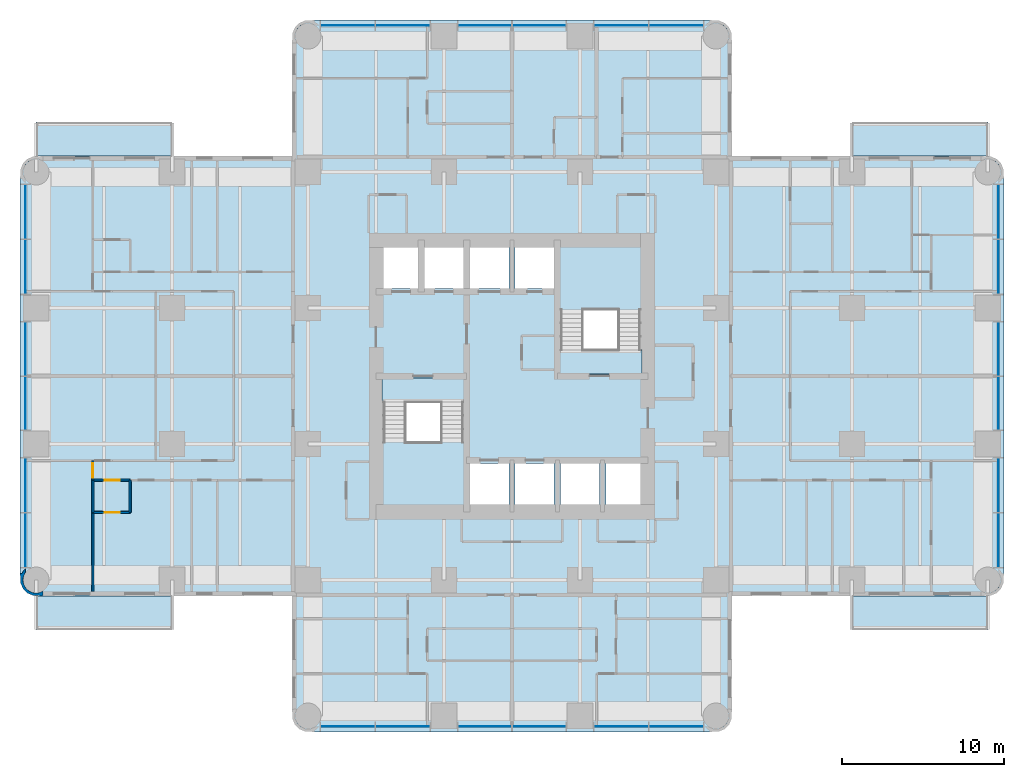
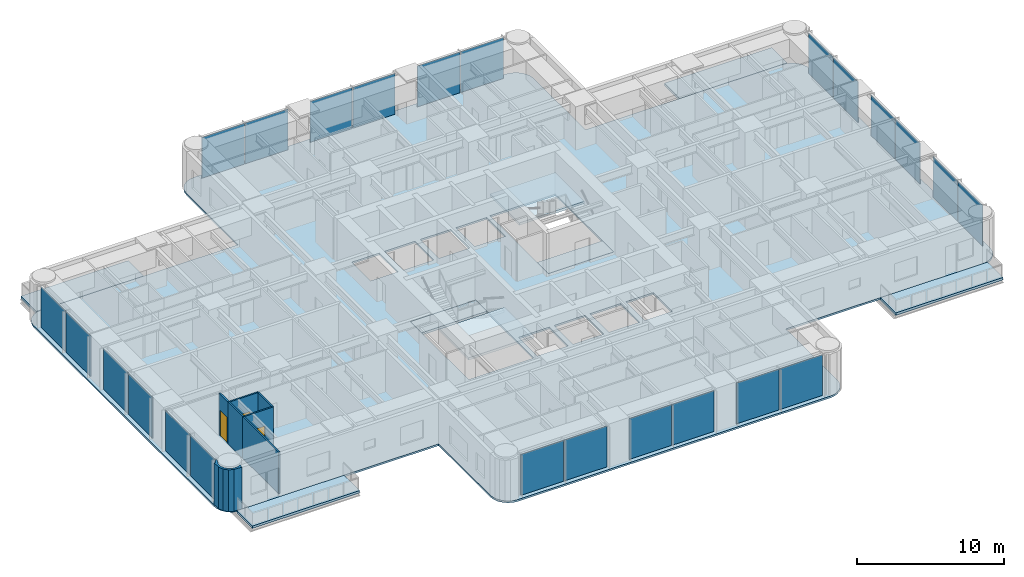
# One storey, part 5 of 15: 24 plates, 9 slabs, 7 walls, 3 doors, 3 openings, 6 elements without a shape of their own.
"""IFC4 building model written with IfcOpenShell, lengths in metres."""

from ifc_helpers import new_model, si_unit, direction, frame, frame_2d, origin, origin_2d, place, context, subcontext, project, spatial, polyline, rectangle, outline, extrude, material, layer, layer_set, type_object, element, fill, aggregate, save


model = new_model("IFC4")

# Units and contexts
model_context = context("Model", 3, precision=1e-05, world=origin(), true_north=direction((0.0, 1.0)))
body_context = subcontext(model_context, "Body", "Model", "MODEL_VIEW")
ifc_project = project(units=[si_unit("LENGTHUNIT", "METRE"), si_unit("AREAUNIT", "SQUARE_METRE"), si_unit("VOLUMEUNIT", "CUBIC_METRE"), si_unit("PLANEANGLEUNIT", "RADIAN"), si_unit("MASSUNIT", "GRAM", prefix="KILO")], contexts=[model_context])

# Site, building, storey
site_placement = place(None, origin())
site = spatial("IfcSite", under=ifc_project, at=site_placement, CompositionType="ELEMENT")
building_placement = place(site_placement, origin())
building = spatial("IfcBuilding", under=site, at=building_placement, Name="Torre Alcanfor", CompositionType="ELEMENT")
storey_placement = place(building_placement, frame((0.0, 0.0, 152.10009765625)))
storey = spatial("IfcBuildingStorey", under=building, at=storey_placement, Name="L39", CompositionType="ELEMENT", Elevation=152.10009765625)

# Slabs
ifc_material_1 = material(Name="Concrete f'c 35 MPa", Category="concrete")
ifc_layer_1 = layer(ifc_material_1, 0.199951171875)
ifc_layer_set_1 = layer_set([ifc_layer_1], Name="Balcony slab 200")
slab_type_1 = type_object("IfcSlabType", Name="Balcony slab 200", PredefinedType="FLOOR", material=ifc_layer_set_1)
slab_1_placement = place(storey_placement, frame((0.0, 0.0, -0.2001953125)))
element("IfcSlab", 1, at=slab_1_placement, inside=storey, type_object=slab_type_1, Name="Balcony L39-E1", PredefinedType="FLOOR", context=body_context, shape_type="SweptSolid", body=[
    extrude(outline(polyline([(50.39990234375, 43.0), (58.800048828125, 43.0), (58.800048828125, 45.10009765625), (50.39990234375, 45.10009765625), (50.39990234375, 43.0)])), origin(), (0.0, 0.0, 1.0), 0.2001953125),
])
slab_2_placement = place(storey_placement, frame((0.0, 0.0, -0.2001953125)))
element("IfcSlab", 2, at=slab_2_placement, inside=storey, type_object=slab_type_1, Name="Balcony L39-E2", PredefinedType="FLOOR", context=body_context, shape_type="SweptSolid", body=[
    extrude(outline(polyline([(50.39990234375, 13.699951171875), (58.800048828125, 13.699951171875), (58.800048828125, 15.800048828125), (50.39990234375, 15.800048828125), (50.39990234375, 13.699951171875)])), origin(), (0.0, 0.0, 1.0), 0.2001953125),
])
slab_3_placement = place(storey_placement, frame((0.0, 0.0, -0.2001953125)))
element("IfcSlab", 3, at=slab_3_placement, inside=storey, type_object=slab_type_1, Name="Balcony L39-W1", PredefinedType="FLOOR", context=body_context, shape_type="SweptSolid", body=[
    extrude(outline(polyline([(8.39990234375, 15.800048828125), (0.0, 15.800048828125), (0.0, 13.699951171875), (8.39990234375, 13.699951171875), (8.39990234375, 15.800048828125)])), origin(), (0.0, 0.0, 1.0), 0.2001953125),
])
slab_4_placement = place(storey_placement, frame((0.0, 0.0, -0.2001953125)))
element("IfcSlab", 4, at=slab_4_placement, inside=storey, type_object=slab_type_1, Name="Balcony L39-W2", PredefinedType="FLOOR", context=body_context, shape_type="SweptSolid", body=[
    extrude(outline(polyline([(8.39990234375, 45.10009765625), (0.0, 45.10009765625), (0.0, 43.0), (8.39990234375, 43.0), (8.39990234375, 45.10009765625)])), origin(), (0.0, 0.0, 1.0), 0.2001953125),
])

# Curtain wall, plates
ifc_material_2 = material(Name="Aluminium and glass", Category="aluminium")
curtain_wall_type = type_object("IfcCurtainWallType", Name="CW-A unitised apartment glazing with vertical FIN", PredefinedType="NOTDEFINED", material=ifc_material_2)
curtain_wall_1_placement = place(storey_placement, origin())
curtain_wall_1 = element("IfcCurtainWall", 5, at=curtain_wall_1_placement, inside=storey, type_object=curtain_wall_type, Name="Curtain wall CW-A L39 2", PredefinedType="NOTDEFINED")
ifc_material_3 = material(Name="Glass", Category="glass")
ifc_layer_2 = layer(ifc_material_3, 0.028076171875)
ifc_layer_set_2 = layer_set([ifc_layer_2], Name="CW-A clear double glazed unit")
plate_type = type_object("IfcPlateType", Name="CW-A clear double glazed unit", PredefinedType="CURTAIN_PANEL", material=ifc_layer_set_2)
plate_1_placement = place(storey_placement, frame((-0.64990234375, 39.541259765625, 0.0), z_axis=(0.0, 0.0, 1.0), x_axis=(0.0, -1.0, 0.0)))
plate_1 = element("IfcPlate", 6, at=plate_1_placement, type_object=plate_type, Name="CW-A panel 1.1.1", PredefinedType="CURTAIN_PANEL", context=body_context, shape_type="SweptSolid", body=[
    extrude(rectangle(XDim=3.337646484375, YDim=0.028076171875, at=origin_2d()), origin(), (0.0, 0.0, 1.0), 3.385009765625),
])
plate_2_placement = place(storey_placement, frame((-0.64990234375, 36.138671875, 0.0), z_axis=(0.0, 0.0, 1.0), x_axis=(0.0, -1.0, 0.0)))
plate_2 = element("IfcPlate", 7, at=plate_2_placement, type_object=plate_type, Name="CW-A panel 1.2.1", PredefinedType="CURTAIN_PANEL", context=body_context, shape_type="SweptSolid", body=[
    extrude(rectangle(XDim=3.337646484375, YDim=0.028076171875, at=origin_2d()), origin(), (0.0, 0.0, 1.0), 3.385009765625),
])
plate_3_placement = place(storey_placement, frame((-0.64990234375, 31.081298828125, 0.0), z_axis=(0.0, 0.0, 1.0), x_axis=(0.0, -1.0, 0.0)))
plate_3 = element("IfcPlate", 8, at=plate_3_placement, type_object=plate_type, Name="CW-A panel 2.1.1", PredefinedType="CURTAIN_PANEL", context=body_context, shape_type="SweptSolid", body=[
    extrude(rectangle(XDim=3.297607421875, YDim=0.028076171875, at=origin_2d()), origin(), (0.0, 0.0, 1.0), 3.385009765625),
])
plate_4_placement = place(storey_placement, frame((-0.64990234375, 27.71875, 0.0), z_axis=(0.0, 0.0, 1.0), x_axis=(0.0, -1.0, 0.0)))
plate_4 = element("IfcPlate", 9, at=plate_4_placement, type_object=plate_type, Name="CW-A panel 2.2.1", PredefinedType="CURTAIN_PANEL", context=body_context, shape_type="SweptSolid", body=[
    extrude(rectangle(XDim=3.297607421875, YDim=0.028076171875, at=origin_2d()), origin(), (0.0, 0.0, 1.0), 3.385009765625),
])
plate_5_placement = place(storey_placement, frame((-0.64990234375, 22.6611328125, 0.0), z_axis=(0.0, 0.0, 1.0), x_axis=(0.0, -1.0, 0.0)))
plate_5 = element("IfcPlate", 10, at=plate_5_placement, type_object=plate_type, Name="CW-A panel 3.1.1", PredefinedType="CURTAIN_PANEL", context=body_context, shape_type="SweptSolid", body=[
    extrude(rectangle(XDim=3.337646484375, YDim=0.028076171875, at=origin_2d()), origin(), (0.0, 0.0, 1.0), 3.385009765625),
])
plate_6_placement = place(storey_placement, frame((-0.64990234375, 19.2587890625, 0.0), z_axis=(0.0, 0.0, 1.0), x_axis=(0.0, -1.0, 0.0)))
plate_6 = element("IfcPlate", 11, at=plate_6_placement, type_object=plate_type, Name="CW-A panel 3.2.1", PredefinedType="CURTAIN_PANEL", context=body_context, shape_type="SweptSolid", body=[
    extrude(rectangle(XDim=3.337646484375, YDim=0.028076171875, at=origin_2d()), origin(), (0.0, 0.0, 1.0), 3.385009765625),
])
aggregate(curtain_wall_1, [plate_1, plate_2, plate_3, plate_4, plate_5, plate_6])

curtain_wall_2_placement = place(storey_placement, origin())
curtain_wall_2 = element("IfcCurtainWall", 12, at=curtain_wall_2_placement, inside=storey, type_object=curtain_wall_type, Name="Curtain wall CW-A L39 5", PredefinedType="NOTDEFINED")
plate_7_placement = place(storey_placement, frame((19.2587890625, 7.75, 0.0), z_axis=(0.0, 0.0, 1.0), x_axis=(1.0, 0.0, 0.0)))
plate_7 = element("IfcPlate", 13, at=plate_7_placement, type_object=plate_type, Name="CW-A panel 1.1.1", PredefinedType="CURTAIN_PANEL", context=body_context, shape_type="SweptSolid", body=[
    extrude(rectangle(XDim=3.337646484375, YDim=0.028076171875, at=origin_2d()), origin(), (0.0, 0.0, 1.0), 3.385009765625),
])
plate_8_placement = place(storey_placement, frame((22.6611328125, 7.75, 0.0), z_axis=(0.0, 0.0, 1.0), x_axis=(1.0, 0.0, 0.0)))
plate_8 = element("IfcPlate", 14, at=plate_8_placement, type_object=plate_type, Name="CW-A panel 1.2.1", PredefinedType="CURTAIN_PANEL", context=body_context, shape_type="SweptSolid", body=[
    extrude(rectangle(XDim=3.337646484375, YDim=0.028076171875, at=origin_2d()), origin(), (0.0, 0.0, 1.0), 3.385009765625),
])
plate_9_placement = place(storey_placement, frame((27.71875, 7.75, 0.0), z_axis=(0.0, 0.0, 1.0), x_axis=(1.0, 0.0, 0.0)))
plate_9 = element("IfcPlate", 15, at=plate_9_placement, type_object=plate_type, Name="CW-A panel 2.1.1", PredefinedType="CURTAIN_PANEL", context=body_context, shape_type="SweptSolid", body=[
    extrude(rectangle(XDim=3.297607421875, YDim=0.028076171875, at=origin_2d()), origin(), (0.0, 0.0, 1.0), 3.385009765625),
])
plate_10_placement = place(storey_placement, frame((31.081298828125, 7.75, 0.0), z_axis=(0.0, 0.0, 1.0), x_axis=(1.0, 0.0, 0.0)))
plate_10 = element("IfcPlate", 16, at=plate_10_placement, type_object=plate_type, Name="CW-A panel 2.2.1", PredefinedType="CURTAIN_PANEL", context=body_context, shape_type="SweptSolid", body=[
    extrude(rectangle(XDim=3.297607421875, YDim=0.028076171875, at=origin_2d()), origin(), (0.0, 0.0, 1.0), 3.385009765625),
])
plate_11_placement = place(storey_placement, frame((36.138671875, 7.75, 0.0), z_axis=(0.0, 0.0, 1.0), x_axis=(1.0, 0.0, 0.0)))
plate_11 = element("IfcPlate", 17, at=plate_11_placement, type_object=plate_type, Name="CW-A panel 3.1.1", PredefinedType="CURTAIN_PANEL", context=body_context, shape_type="SweptSolid", body=[
    extrude(rectangle(XDim=3.337646484375, YDim=0.028076171875, at=origin_2d()), origin(), (0.0, 0.0, 1.0), 3.385009765625),
])
plate_12_placement = place(storey_placement, frame((39.541259765625, 7.75, 0.0), z_axis=(0.0, 0.0, 1.0), x_axis=(1.0, 0.0, 0.0)))
plate_12 = element("IfcPlate", 18, at=plate_12_placement, type_object=plate_type, Name="CW-A panel 3.2.1", PredefinedType="CURTAIN_PANEL", context=body_context, shape_type="SweptSolid", body=[
    extrude(rectangle(XDim=3.337646484375, YDim=0.028076171875, at=origin_2d()), origin(), (0.0, 0.0, 1.0), 3.385009765625),
])
aggregate(curtain_wall_2, [plate_7, plate_8, plate_9, plate_10, plate_11, plate_12])

curtain_wall_3_placement = place(storey_placement, origin())
curtain_wall_3 = element("IfcCurtainWall", 19, at=curtain_wall_3_placement, inside=storey, type_object=curtain_wall_type, Name="Curtain wall CW-A L39 8", PredefinedType="NOTDEFINED")
plate_13_placement = place(storey_placement, frame((59.449951171875, 19.2587890625, 0.0), z_axis=(0.0, 0.0, 1.0), x_axis=(0.0, 1.0, 0.0)))
plate_13 = element("IfcPlate", 20, at=plate_13_placement, type_object=plate_type, Name="CW-A panel 1.1.1", PredefinedType="CURTAIN_PANEL", context=body_context, shape_type="SweptSolid", body=[
    extrude(rectangle(XDim=3.337646484375, YDim=0.028076171875, at=origin_2d()), origin(), (0.0, 0.0, 1.0), 3.385009765625),
])
plate_14_placement = place(storey_placement, frame((59.449951171875, 22.6611328125, 0.0), z_axis=(0.0, 0.0, 1.0), x_axis=(0.0, 1.0, 0.0)))
plate_14 = element("IfcPlate", 21, at=plate_14_placement, type_object=plate_type, Name="CW-A panel 1.2.1", PredefinedType="CURTAIN_PANEL", context=body_context, shape_type="SweptSolid", body=[
    extrude(rectangle(XDim=3.337646484375, YDim=0.028076171875, at=origin_2d()), origin(), (0.0, 0.0, 1.0), 3.385009765625),
])
plate_15_placement = place(storey_placement, frame((59.449951171875, 27.71875, 0.0), z_axis=(0.0, 0.0, 1.0), x_axis=(0.0, 1.0, 0.0)))
plate_15 = element("IfcPlate", 22, at=plate_15_placement, type_object=plate_type, Name="CW-A panel 2.1.1", PredefinedType="CURTAIN_PANEL", context=body_context, shape_type="SweptSolid", body=[
    extrude(rectangle(XDim=3.297607421875, YDim=0.028076171875, at=origin_2d()), origin(), (0.0, 0.0, 1.0), 3.385009765625),
])
plate_16_placement = place(storey_placement, frame((59.449951171875, 31.081298828125, 0.0), z_axis=(0.0, 0.0, 1.0), x_axis=(0.0, 1.0, 0.0)))
plate_16 = element("IfcPlate", 23, at=plate_16_placement, type_object=plate_type, Name="CW-A panel 2.2.1", PredefinedType="CURTAIN_PANEL", context=body_context, shape_type="SweptSolid", body=[
    extrude(rectangle(XDim=3.297607421875, YDim=0.028076171875, at=origin_2d()), origin(), (0.0, 0.0, 1.0), 3.385009765625),
])
plate_17_placement = place(storey_placement, frame((59.449951171875, 36.138671875, 0.0), z_axis=(0.0, 0.0, 1.0), x_axis=(0.0, 1.0, 0.0)))
plate_17 = element("IfcPlate", 24, at=plate_17_placement, type_object=plate_type, Name="CW-A panel 3.1.1", PredefinedType="CURTAIN_PANEL", context=body_context, shape_type="SweptSolid", body=[
    extrude(rectangle(XDim=3.337646484375, YDim=0.028076171875, at=origin_2d()), origin(), (0.0, 0.0, 1.0), 3.385009765625),
])
plate_18_placement = place(storey_placement, frame((59.449951171875, 39.541259765625, 0.0), z_axis=(0.0, 0.0, 1.0), x_axis=(0.0, 1.0, 0.0)))
plate_18 = element("IfcPlate", 25, at=plate_18_placement, type_object=plate_type, Name="CW-A panel 3.2.1", PredefinedType="CURTAIN_PANEL", context=body_context, shape_type="SweptSolid", body=[
    extrude(rectangle(XDim=3.337646484375, YDim=0.028076171875, at=origin_2d()), origin(), (0.0, 0.0, 1.0), 3.385009765625),
])
aggregate(curtain_wall_3, [plate_13, plate_14, plate_15, plate_16, plate_17, plate_18])

curtain_wall_4_placement = place(storey_placement, origin())
curtain_wall_4 = element("IfcCurtainWall", 26, at=curtain_wall_4_placement, inside=storey, type_object=curtain_wall_type, Name="Curtain wall CW-A L39 11", PredefinedType="NOTDEFINED")
plate_19_placement = place(storey_placement, frame((39.541259765625, 51.050048828125, 0.0), z_axis=(0.0, 0.0, 1.0), x_axis=(-1.0, 0.0, 0.0)))
plate_19 = element("IfcPlate", 27, at=plate_19_placement, type_object=plate_type, Name="CW-A panel 1.1.1", PredefinedType="CURTAIN_PANEL", context=body_context, shape_type="SweptSolid", body=[
    extrude(rectangle(XDim=3.337646484375, YDim=0.028076171875, at=origin_2d()), origin(), (0.0, 0.0, 1.0), 3.385009765625),
])
plate_20_placement = place(storey_placement, frame((36.138671875, 51.050048828125, 0.0), z_axis=(0.0, 0.0, 1.0), x_axis=(-1.0, 0.0, 0.0)))
plate_20 = element("IfcPlate", 28, at=plate_20_placement, type_object=plate_type, Name="CW-A panel 1.2.1", PredefinedType="CURTAIN_PANEL", context=body_context, shape_type="SweptSolid", body=[
    extrude(rectangle(XDim=3.337646484375, YDim=0.028076171875, at=origin_2d()), origin(), (0.0, 0.0, 1.0), 3.385009765625),
])
plate_21_placement = place(storey_placement, frame((31.081298828125, 51.050048828125, 0.0), z_axis=(0.0, 0.0, 1.0), x_axis=(-1.0, 0.0, 0.0)))
plate_21 = element("IfcPlate", 29, at=plate_21_placement, type_object=plate_type, Name="CW-A panel 2.1.1", PredefinedType="CURTAIN_PANEL", context=body_context, shape_type="SweptSolid", body=[
    extrude(rectangle(XDim=3.297607421875, YDim=0.028076171875, at=origin_2d()), origin(), (0.0, 0.0, 1.0), 3.385009765625),
])
plate_22_placement = place(storey_placement, frame((27.71875, 51.050048828125, 0.0), z_axis=(0.0, 0.0, 1.0), x_axis=(-1.0, 0.0, 0.0)))
plate_22 = element("IfcPlate", 30, at=plate_22_placement, type_object=plate_type, Name="CW-A panel 2.2.1", PredefinedType="CURTAIN_PANEL", context=body_context, shape_type="SweptSolid", body=[
    extrude(rectangle(XDim=3.297607421875, YDim=0.028076171875, at=origin_2d()), origin(), (0.0, 0.0, 1.0), 3.385009765625),
])
plate_23_placement = place(storey_placement, frame((22.6611328125, 51.050048828125, 0.0), z_axis=(0.0, 0.0, 1.0), x_axis=(-1.0, 0.0, 0.0)))
plate_23 = element("IfcPlate", 31, at=plate_23_placement, type_object=plate_type, Name="CW-A panel 3.1.1", PredefinedType="CURTAIN_PANEL", context=body_context, shape_type="SweptSolid", body=[
    extrude(rectangle(XDim=3.337646484375, YDim=0.028076171875, at=origin_2d()), origin(), (0.0, 0.0, 1.0), 3.385009765625),
])
plate_24_placement = place(storey_placement, frame((19.2587890625, 51.050048828125, 0.0), z_axis=(0.0, 0.0, 1.0), x_axis=(-1.0, 0.0, 0.0)))
plate_24 = element("IfcPlate", 32, at=plate_24_placement, type_object=plate_type, Name="CW-A panel 3.2.1", PredefinedType="CURTAIN_PANEL", context=body_context, shape_type="SweptSolid", body=[
    extrude(rectangle(XDim=3.337646484375, YDim=0.028076171875, at=origin_2d()), origin(), (0.0, 0.0, 1.0), 3.385009765625),
])
aggregate(curtain_wall_4, [plate_19, plate_20, plate_21, plate_22, plate_23, plate_24])

# Slab
ifc_material_4 = material(Name="Concrete f'c 35 MPa", Category="concrete")
ifc_layer_3 = layer(ifc_material_4, 0.14990234375)
ifc_layer_set_3 = layer_set([ifc_layer_3], Name="Composite floor 150 on metal deck")
slab_type_2 = type_object("IfcSlabType", Name="Composite floor 150 on metal deck", PredefinedType="FLOOR", material=ifc_layer_set_3)
slab_5_placement = place(storey_placement, frame((0.0, 0.0, -0.150146484375)))
element("IfcSlab", 33, at=slab_5_placement, inside=storey, type_object=slab_type_2, Name="Floor slab L39", PredefinedType="FLOOR", context=body_context, shape_type="SweptSolid", body=[
    extrude(outline(polyline([(15.800048828125, 43.0), (0.39990234375, 43.0), (0.03759765625, 42.952392578125), (-0.300048828125, 42.8125), (-0.58984375, 42.58984375), (-0.8125, 42.300048828125), (-0.952392578125, 41.96240234375), (-1.0, 41.60009765625), (-1.0, 17.199951171875), (-0.952392578125, 16.837646484375), (-0.8125, 16.5), (-0.58984375, 16.210205078125), (-0.300048828125, 15.987548828125), (0.03759765625, 15.84765625), (0.39990234375, 15.800048828125), (15.800048828125, 15.800048828125), (15.800048828125, 8.800048828125), (15.84765625, 8.437744140625), (15.987548828125, 8.10009765625), (16.210205078125, 7.81005859375), (16.5, 7.587646484375), (16.837646484375, 7.44775390625), (17.199951171875, 7.39990234375), (41.60009765625, 7.39990234375), (41.96240234375, 7.44775390625), (42.300048828125, 7.587646484375), (42.58984375, 7.81005859375), (42.8125, 8.10009765625), (42.952392578125, 8.437744140625), (43.0, 8.800048828125), (43.0, 15.800048828125), (58.39990234375, 15.800048828125), (58.76220703125, 15.84765625), (59.10009765625, 15.987548828125), (59.389892578125, 16.210205078125), (59.6123046875, 16.5), (59.752197265625, 16.837646484375), (59.800048828125, 17.199951171875), (59.800048828125, 41.60009765625), (59.752197265625, 41.96240234375), (59.6123046875, 42.300048828125), (59.389892578125, 42.58984375), (59.10009765625, 42.8125), (58.76220703125, 42.952392578125), (58.39990234375, 43.0), (43.0, 43.0), (43.0, 50.0), (42.952392578125, 50.3623046875), (42.8125, 50.699951171875), (42.58984375, 50.989990234375), (42.300048828125, 51.21240234375), (41.96240234375, 51.352294921875), (41.60009765625, 51.39990234375), (17.199951171875, 51.39990234375), (16.837646484375, 51.352294921875), (16.5, 51.21240234375), (16.210205078125, 50.989990234375), (15.987548828125, 50.699951171875), (15.84765625, 50.3623046875), (15.800048828125, 50.0), (15.800048828125, 43.0)]), holes=[polyline([(21.3701171875, 21.3701171875), (26.47998046875, 21.3701171875), (26.47998046875, 29.280029296875), (21.3701171875, 29.280029296875), (21.3701171875, 21.3701171875)]), polyline([(32.320068359375, 29.52001953125), (37.429931640625, 29.52001953125), (37.429931640625, 37.429931640625), (32.320068359375, 37.429931640625), (32.320068359375, 29.52001953125)]), polyline([(26.800048828125, 21.449951171875), (29.199951171875, 21.449951171875), (29.199951171875, 24.0), (26.800048828125, 24.0), (26.800048828125, 21.449951171875)]), polyline([(29.60009765625, 21.449951171875), (32.0, 21.449951171875), (32.0, 24.0), (29.60009765625, 24.0), (29.60009765625, 21.449951171875)]), polyline([(32.39990234375, 21.449951171875), (34.800048828125, 21.449951171875), (34.800048828125, 24.0), (32.39990234375, 24.0), (32.39990234375, 21.449951171875)]), polyline([(35.199951171875, 21.449951171875), (37.35009765625, 21.449951171875), (37.35009765625, 24.0), (35.199951171875, 24.0), (35.199951171875, 21.449951171875)]), polyline([(21.449951171875, 34.800048828125), (23.60009765625, 34.800048828125), (23.60009765625, 37.35009765625), (21.449951171875, 37.35009765625), (21.449951171875, 34.800048828125)]), polyline([(24.0, 34.800048828125), (26.39990234375, 34.800048828125), (26.39990234375, 37.35009765625), (24.0, 37.35009765625), (24.0, 34.800048828125)]), polyline([(26.800048828125, 34.800048828125), (29.199951171875, 34.800048828125), (29.199951171875, 37.35009765625), (26.800048828125, 37.35009765625), (26.800048828125, 34.800048828125)]), polyline([(29.60009765625, 34.800048828125), (32.0, 34.800048828125), (32.0, 37.35009765625), (29.60009765625, 37.35009765625), (29.60009765625, 34.800048828125)])]), origin(), (0.0, 0.0, 1.0), 0.150146484375),
])

# Stair, slabs
ifc_material_5 = material(Name="Concrete f'c 35 MPa", Category="concrete")
stair_type_1 = type_object("IfcStairType", Name="Exit stair S1 1400 wide", PredefinedType="HALF_TURN_STAIR", material=ifc_material_5)
stair_1_placement = place(storey_placement, origin())
stair_1 = element("IfcStair", 34, at=stair_1_placement, inside=storey, type_object=stair_type_1, Name="Stair S1 L39 to L40", PredefinedType="HALF_TURN_STAIR")
ifc_material_6 = material(Name="Concrete f'c 35 MPa", Category="concrete")
ifc_layer_4 = layer(ifc_material_6, 0.199951171875)
ifc_layer_set_4 = layer_set([ifc_layer_4], Name="Stair landing 200")
slab_type_3 = type_object("IfcSlabType", Name="Stair landing 200", PredefinedType="LANDING", material=ifc_layer_set_4)
slab_6_placement = place(storey_placement, frame((0.0, 0.0, -0.2001953125)))
slab_6 = element("IfcSlab", 35, at=slab_6_placement, type_object=slab_type_3, Name="S1 landing 1", PredefinedType="LANDING", context=body_context, shape_type="SweptSolid", body=[
    extrude(outline(polyline([(21.3701171875, 27.75), (26.47998046875, 27.75), (26.47998046875, 29.280029296875), (21.3701171875, 29.280029296875), (21.3701171875, 27.75)])), origin(), (0.0, 0.0, 1.0), 0.2001953125),
])
slab_7_placement = place(storey_placement, frame((0.0, 0.0, 1.599853515625)))
slab_7 = element("IfcSlab", 36, at=slab_7_placement, type_object=slab_type_3, Name="S1 landing 2", PredefinedType="LANDING", context=body_context, shape_type="SweptSolid", body=[
    extrude(outline(polyline([(21.3701171875, 21.3701171875), (26.47998046875, 21.3701171875), (26.47998046875, 25.330078125), (21.3701171875, 25.330078125), (21.3701171875, 21.3701171875)])), origin(), (0.0, 0.0, 1.0), 0.199951171875),
])
aggregate(stair_1, [slab_6, slab_7])

ifc_material_7 = material(Name="Concrete f'c 35 MPa", Category="concrete")
stair_type_2 = type_object("IfcStairType", Name="Exit stair S2 1400 wide", PredefinedType="HALF_TURN_STAIR", material=ifc_material_7)
stair_2_placement = place(storey_placement, origin())
stair_2 = element("IfcStair", 37, at=stair_2_placement, inside=storey, type_object=stair_type_2, Name="Stair S2 L39 to L40", PredefinedType="HALF_TURN_STAIR")
slab_8_placement = place(storey_placement, frame((0.0, 0.0, -0.2001953125)))
slab_8 = element("IfcSlab", 38, at=slab_8_placement, type_object=slab_type_3, Name="S2 landing 1", PredefinedType="LANDING", context=body_context, shape_type="SweptSolid", body=[
    extrude(outline(polyline([(32.320068359375, 29.52001953125), (37.429931640625, 29.52001953125), (37.429931640625, 31.050048828125), (32.320068359375, 31.050048828125), (32.320068359375, 29.52001953125)])), origin(), (0.0, 0.0, 1.0), 0.2001953125),
])
slab_9_placement = place(storey_placement, frame((0.0, 0.0, 1.599853515625)))
slab_9 = element("IfcSlab", 39, at=slab_9_placement, type_object=slab_type_3, Name="S2 landing 2", PredefinedType="LANDING", context=body_context, shape_type="SweptSolid", body=[
    extrude(outline(polyline([(32.320068359375, 33.469970703125), (37.429931640625, 33.469970703125), (37.429931640625, 37.429931640625), (32.320068359375, 37.429931640625), (32.320068359375, 33.469970703125)])), origin(), (0.0, 0.0, 1.0), 0.199951171875),
])
aggregate(stair_2, [slab_8, slab_9])

# Wall, opening, door
ifc_material_8 = material(Name="Gypsum board on steel studs", Category="steel")
ifc_layer_5 = layer(ifc_material_8, 0.1201171875)
ifc_layer_set_5 = layer_set([ifc_layer_5], Name="Apartment partition 120")
wall_type_1 = type_object("IfcWallType", Name="Apartment partition 120", PredefinedType="PARTITIONING", material=ifc_layer_set_5)
wall_1_placement = place(storey_placement, frame((3.5, 22.970947265625, 0.0), z_axis=(0.0, 0.0, 1.0), x_axis=(1.0, 0.0, 0.0)))
wall_1 = element("IfcWall", 40, at=wall_1_placement, inside=storey, type_object=wall_type_1, Name="Partition L39-W1-HALL / L39-W1-VEST", PredefinedType="PARTITIONING", context=body_context, shape_type="SweptSolid", body=[
    extrude(rectangle(XDim=2.300048828125, YDim=0.1201171875, at=frame_2d((1.14990234375, 0.0))), origin(), (0.0, 0.0, 1.0), 3.449951171875),
])
opening_1_placement = place(wall_1_placement, frame((0.75, 0.0, 0.0)))
opening_1 = element("IfcOpeningElement", 41, at=opening_1_placement, cuts=wall_1, Name="Opening D-R1", PredefinedType="OPENING", context=body_context, shape_type="SweptSolid", body=[
    extrude(rectangle(XDim=0.89990234375, YDim=2.10009765625, at=frame_2d((0.449951171875, 1.050048828125))), frame((0.0, 0.070068359375, 0.0), z_axis=(0.0, -1.0, 0.0), x_axis=(1.0, 0.0, 0.0)), (0.0, 0.0, 1.0), 0.14013671875),
])
ifc_material_9 = material(Name="Timber", Category="wood")
door_type = type_object("IfcDoorType", Name="Internal door 900x2100", OperationType="SINGLE_SWING_LEFT", PredefinedType="DOOR", material=ifc_material_9)
door_1_placement = place(opening_1_placement, frame((0.89990234375, 0.0, 0.0), z_axis=(0.0, 0.0, 1.0), x_axis=(-1.0, 0.0, 0.0)))
door_1 = element("IfcDoor", 42, at=door_1_placement, inside=storey, type_object=door_type, Name="Door L39-W1 vest", OperationType="SINGLE_SWING_LEFT", OverallHeight=2.10009765625, OverallWidth=0.89990234375, PredefinedType="DOOR", context=body_context, shape_type="SweptSolid", body=[
    extrude(rectangle(XDim=0.89990234375, YDim=2.10009765625, at=frame_2d((0.449951171875, 1.050048828125))), frame((0.0, 0.025146484375, 0.0), z_axis=(0.0, -1.0, 0.0), x_axis=(1.0, 0.0, 0.0)), (0.0, 0.0, 1.0), 0.050048828125),
])
fill(opening_1, door_1)

wall_2_placement = place(storey_placement, frame((3.5, 24.1708984375, 0.0), z_axis=(0.0, 0.0, 1.0), x_axis=(0.0, -1.0, 0.0)))
wall_2 = element("IfcWall", 43, at=wall_2_placement, inside=storey, type_object=wall_type_1, Name="Partition L39-W1-HALL / L39-W1-WGARD", PredefinedType="PARTITIONING", context=body_context, shape_type="SweptSolid", body=[
    extrude(rectangle(XDim=1.199951171875, YDim=0.1201171875, at=frame_2d((0.60009765625, 0.0))), origin(), (0.0, 0.0, 1.0), 3.449951171875),
])
opening_2_placement = place(wall_2_placement, frame((0.15087890625, 0.0, 0.0)))
opening_2 = element("IfcOpeningElement", 44, at=opening_2_placement, cuts=wall_2, Name="Opening D-R1", PredefinedType="OPENING", context=body_context, shape_type="SweptSolid", body=[
    extrude(rectangle(XDim=0.89990234375, YDim=2.10009765625, at=frame_2d((0.449951171875, 1.050048828125))), frame((0.0, 0.070068359375, 0.0), z_axis=(0.0, -1.0, 0.0), x_axis=(1.0, 0.0, 0.0)), (0.0, 0.0, 1.0), 0.14013671875),
])
door_2_placement = place(opening_2_placement, frame((0.89990234375, 0.0, 0.0), z_axis=(0.0, 0.0, 1.0), x_axis=(-1.0, 0.0, 0.0)))
door_2 = element("IfcDoor", 45, at=door_2_placement, inside=storey, type_object=door_type, Name="Door L39-W1 wgard", OperationType="SINGLE_SWING_RIGHT", OverallHeight=2.10009765625, OverallWidth=0.89990234375, PredefinedType="DOOR", context=body_context, shape_type="SweptSolid", body=[
    extrude(rectangle(XDim=0.89990234375, YDim=2.10009765625, at=frame_2d((0.449951171875, 1.050048828125))), frame((0.0, 0.025146484375, 0.0), z_axis=(0.0, -1.0, 0.0), x_axis=(1.0, 0.0, 0.0)), (0.0, 0.0, 1.0), 0.050048828125),
])
fill(opening_2, door_2)

wall_3_placement = place(storey_placement, frame((3.5, 20.970947265625, 0.0), z_axis=(0.0, 0.0, 1.0), x_axis=(1.0, 0.0, 0.0)))
wall_3 = element("IfcWall", 46, at=wall_3_placement, inside=storey, type_object=wall_type_1, Name="Partition L39-W1-MASTER / L39-W1-VEST", PredefinedType="PARTITIONING", context=body_context, shape_type="SweptSolid", body=[
    extrude(rectangle(XDim=2.300048828125, YDim=0.1201171875, at=frame_2d((1.14990234375, 0.0))), origin(), (0.0, 0.0, 1.0), 3.449951171875),
])
opening_3_placement = place(wall_3_placement, frame((0.75, 0.0, 0.0)))
opening_3 = element("IfcOpeningElement", 47, at=opening_3_placement, cuts=wall_3, Name="Opening D-R1", PredefinedType="OPENING", context=body_context, shape_type="SweptSolid", body=[
    extrude(rectangle(XDim=0.89990234375, YDim=2.10009765625, at=frame_2d((0.449951171875, 1.050048828125))), frame((0.0, 0.070068359375, 0.0), z_axis=(0.0, -1.0, 0.0), x_axis=(1.0, 0.0, 0.0)), (0.0, 0.0, 1.0), 0.14013671875),
])
door_3_placement = place(opening_3_placement, origin())
door_3 = element("IfcDoor", 48, at=door_3_placement, inside=storey, type_object=door_type, Name="Door L39-W1 master", OperationType="SINGLE_SWING_RIGHT", OverallHeight=2.10009765625, OverallWidth=0.89990234375, PredefinedType="DOOR", context=body_context, shape_type="SweptSolid", body=[
    extrude(rectangle(XDim=0.89990234375, YDim=2.10009765625, at=frame_2d((0.449951171875, 1.050048828125))), frame((0.0, 0.02490234375, 0.0), z_axis=(0.0, -1.0, 0.0), x_axis=(1.0, 0.0, 0.0)), (0.0, 0.0, 1.0), 0.050048828125),
])
fill(opening_3, door_3)

# Walls
wall_4_placement = place(storey_placement, frame((5.800048828125, 20.970947265625, 0.0), z_axis=(0.0, 0.0, 1.0), x_axis=(0.0, 1.0, 0.0)))
element("IfcWall", 49, at=wall_4_placement, inside=storey, type_object=wall_type_1, Name="Partition L39-W1-MASTER / L39-W1-VEST", PredefinedType="PARTITIONING", context=body_context, shape_type="SweptSolid", body=[
    extrude(rectangle(XDim=2.0, YDim=0.1201171875, at=frame_2d((1.0, 0.0))), origin(), (0.0, 0.0, 1.0), 3.449951171875),
])
wall_5_placement = place(storey_placement, frame((3.5, 16.10009765625, 0.0), z_axis=(0.0, 0.0, 1.0), x_axis=(0.0, 1.0, 0.0)))
element("IfcWall", 50, at=wall_5_placement, inside=storey, type_object=wall_type_1, Name="Partition L39-W1-MASTER / L39-W1-WGARD", PredefinedType="PARTITIONING", context=body_context, shape_type="SweptSolid", body=[
    extrude(rectangle(XDim=4.870849609375, YDim=0.1201171875, at=frame_2d((2.435546875, 0.0))), origin(), (0.0, 0.0, 1.0), 3.449951171875),
])
wall_6_placement = place(storey_placement, frame((3.5, 22.970947265625, 0.0), z_axis=(0.0, 0.0, 1.0), x_axis=(0.0, -1.0, 0.0)))
element("IfcWall", 51, at=wall_6_placement, inside=storey, type_object=wall_type_1, Name="Partition L39-W1-VEST / L39-W1-WGARD", PredefinedType="PARTITIONING", context=body_context, shape_type="SweptSolid", body=[
    extrude(rectangle(XDim=2.0, YDim=0.1201171875, at=frame_2d((1.0, 0.0))), origin(), (0.0, 0.0, 1.0), 3.449951171875),
])
ifc_material_10 = material(Name="Limestone cladding", Category="masonry")
ifc_layer_6 = layer(ifc_material_10, 0.0400390625, Name="Facing")
ifc_material_11 = material(Name="Ventilated air cavity")
ifc_layer_7 = layer(ifc_material_11, 0.02001953125, ventilated=True, Name="Ventilated joint")
ifc_material_12 = material(Name="Mineral wool insulation", Category="insulation")
ifc_layer_8 = layer(ifc_material_12, 0.10009765625, Name="Insulation")
ifc_material_13 = material(Name="Concrete f'c 35 MPa", Category="concrete")
ifc_layer_9 = layer(ifc_material_13, 0.139892578125, Name="Backing")
ifc_layer_set_6 = layer_set([ifc_layer_6, ifc_layer_7, ifc_layer_8, ifc_layer_9], Name="Rounded corner pier stone-clad 300")
wall_type_2 = type_object("IfcWallType", Name="Rounded corner pier stone-clad 300", PredefinedType="SOLIDWALL", material=ifc_layer_set_6)
wall_7_placement = place(storey_placement, frame((-0.595317512, 17.448071802, 0.0), z_axis=(0.0, 0.0, 1.0), x_axis=(-0.93923434088, -0.343276641956, 0.0)))
element("IfcWall", 52, at=wall_7_placement, inside=storey, type_object=wall_type_2, Name="Corner pier L39 14", PredefinedType="SOLIDWALL", context=body_context, shape_type="SweptSolid", body=[
    extrude(outline(polyline([(-0.36901687290747565, 1.8895155017116005), (-0.5091640790076659, 1.6212761977701722), (-0.4905903530283585, 1.6144877680830545), (-0.47948243923657013, 1.6086084348003613), (-0.21122522327048593, 1.6199972505432854), (0.08778883447046232, 1.5107119133580826), (0.3225108976454373, 1.2952164137736593), (0.4570343816413681, 1.0061292766156664), (0.470385530542732, 0.6877670550734887), (0.36101638558361415, 0.38852369207353665), (0.14552088599919094, 0.15380162889856172), (0.10803112982284666, 0.13657123594691412), (0.030844170047101382, -0.07461890759558078), (0.24094301513563465, 0.023009904898978376), (0.3335722649355225, 0.12354205241220817), (0.46526570659148436, 0.09412537095504334), (0.5319165148651629, 0.3931255880778293), (0.6305582647631567, 0.6630178779252955), (0.6143066479271062, 1.0445648337608835), (0.4533864294189357, 1.390867848169107), (0.172157378959642, 1.6490946263605986), (-0.09750560562882049, 1.747652568484677), (-0.36901687290747565, 1.8895155017116005)])), origin(), (0.0, 0.0, 1.0), 3.449951171875),
])

save(model, "model.ifc")
